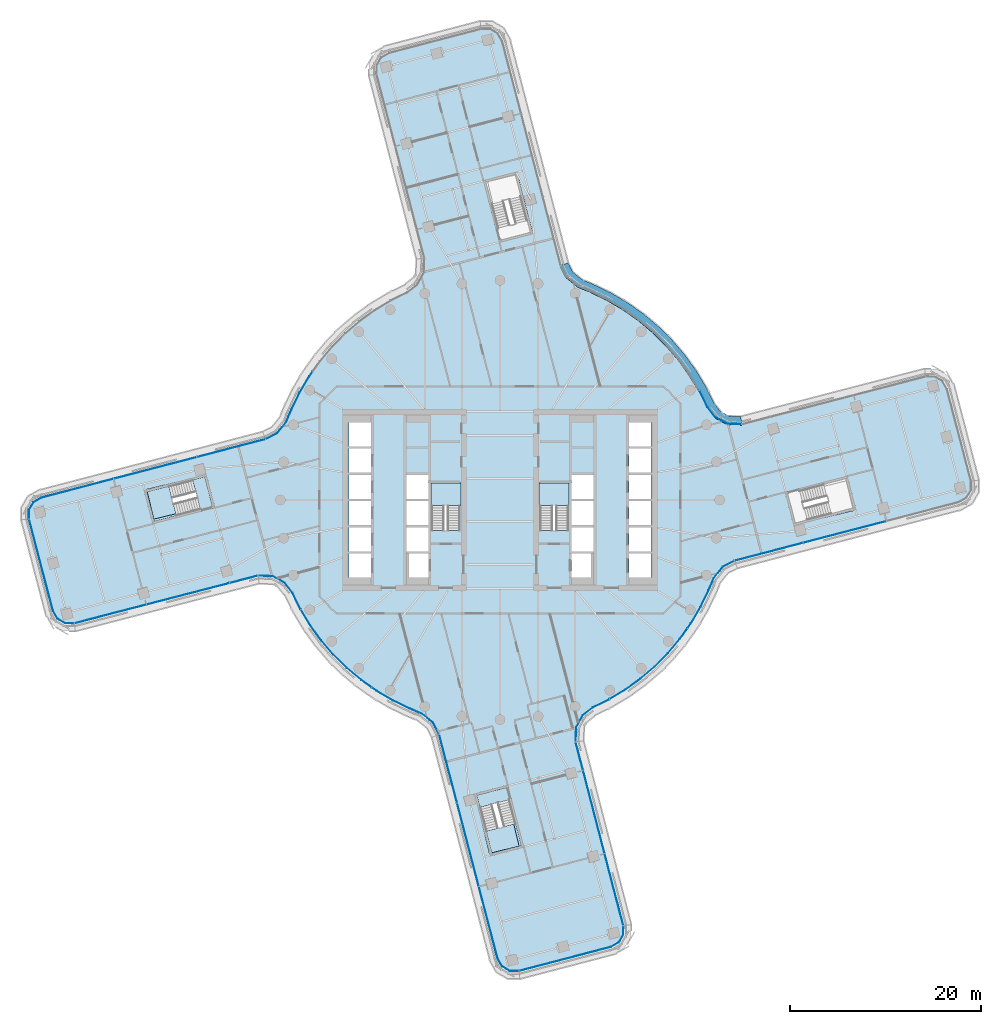
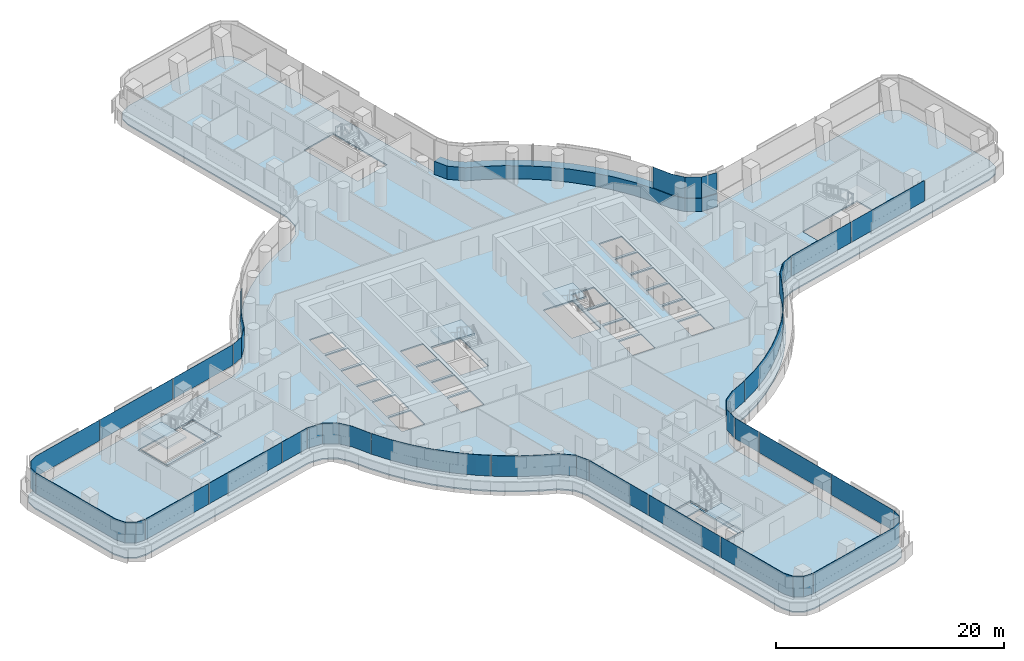
# One storey, part 16 of 30: 24 plates, 7 slabs, 1 member, 15 elements without a shape of their own.
"""IFC4 building model written with IfcOpenShell, lengths in metres."""

from ifc_helpers import new_model, si_unit, direction, frame, origin, place, context, subcontext, project, spatial, polyline, outline, extrude, material, layer, layer_set, type_object, element, aggregate, save


model = new_model("IFC4")

# Units and contexts
model_context = context("Model", 3, precision=1e-05, world=origin(), true_north=direction((0.0, 1.0)))
body_context = subcontext(model_context, "Body", "Model", "MODEL_VIEW")
ifc_project = project(units=[si_unit("LENGTHUNIT", "METRE"), si_unit("AREAUNIT", "SQUARE_METRE"), si_unit("VOLUMEUNIT", "CUBIC_METRE"), si_unit("PLANEANGLEUNIT", "RADIAN"), si_unit("MASSUNIT", "GRAM", prefix="KILO")], contexts=[model_context])

# Site, building, storey
site_placement = place(None, origin())
site = spatial("IfcSite", under=ifc_project, at=site_placement, CompositionType="ELEMENT")
building_placement = place(site_placement, origin())
building = spatial("IfcBuilding", under=site, at=building_placement, Name="Tamarind Cross Interchange Tower", CompositionType="ELEMENT")
storey_placement = place(building_placement, frame((0.0, 0.0, 87.25)))
storey = spatial("IfcBuildingStorey", under=building, at=storey_placement, Name="L20", CompositionType="ELEMENT", Elevation=87.25)

# Curtain wall, member
ifc_material_1 = material(Name="Aluminium 6063-T6", Category="aluminium")
ifc_layer_1 = layer(ifc_material_1, 0.159912109375)
ifc_layer_set_1 = layer_set([ifc_layer_1], Name="Aluminium 6063-T6")
curtain_wall_type = type_object("IfcCurtainWallType", Name="Office curtain wall, 9.0 m bays", PredefinedType="NOTDEFINED", material=ifc_layer_set_1)
curtain_wall_1_placement = place(storey_placement, origin())
curtain_wall_1 = element("IfcCurtainWall", 1, at=curtain_wall_1_placement, inside=storey, type_object=curtain_wall_type, Name="CWS-L20-14", PredefinedType="NOTDEFINED")
ifc_material_2 = material(Name="Aluminium and insulated spandrel panel", Category="aluminium")
member_type = type_object("IfcMemberType", Name="Floor-edge blade transom", PredefinedType="USERDEFINED", material=ifc_material_2)
member_placement = place(storey_placement, origin())
member = element("IfcMember", 2, at=member_placement, type_object=member_type, Name="CWT-L20-14", ObjectType="TRANSOM", PredefinedType="USERDEFINED", context=body_context, shape_type="SweptSolid", body=[
    extrude(outline(polyline([(25.316650390625, 7.81689453125), (23.747802734375, 7.88427734375), (22.460693359375, 8.59765625), (21.640625, 9.649169921875), (20.791015625, 11.367431640625), (19.78125, 13.045654296875), (18.636474609375, 14.634521484375), (17.3642578125, 16.12353515625), (15.973388671875, 17.50244140625), (14.4736328125, 18.76171875), (12.874755859375, 19.892822265625), (11.188232421875, 20.88818359375), (9.421630859375, 21.7421875), (8.141845703125, 22.27197265625), (6.892333984375, 23.281982421875), (6.26953125, 24.509521484375), (7.11572265625, 24.83056640625), (7.60791015625, 23.86083984375), (8.6064453125, 23.0537109375), (9.7900390625, 22.56396484375), (11.613525390625, 21.68212890625), (13.3642578125, 20.64892578125), (15.023681640625, 19.474853515625), (16.580810546875, 18.167724609375), (18.0244140625, 16.736572265625), (19.344970703125, 15.19091796875), (20.533203125, 13.54150390625), (21.581298828125, 11.799560546875), (22.40673828125, 10.13037109375), (23.057373046875, 9.2958984375), (23.99853515625, 8.7744140625), (25.220703125, 8.721923828125), (25.316650390625, 7.81689453125)])), origin(), (0.0, 0.0, 1.0), 1.39990234375),
])

# Slabs
ifc_material_3 = material(Name="Concrete C35", Category="concrete")
ifc_layer_2 = layer(ifc_material_3, 0.139892578125)
ifc_layer_set_2 = layer_set([ifc_layer_2], Name="Concrete C35")
slab_type_1 = type_object("IfcSlabType", Name="Composite slab 140 Concrete C35", PredefinedType="FLOOR", material=ifc_layer_set_2)
slab_1_placement = place(storey_placement, frame((0.0, 0.0, -0.139892578125)))
element("IfcSlab", 3, at=slab_1_placement, inside=storey, type_object=slab_type_1, Name="Floor slab L20", PredefinedType="FLOOR", context=body_context, shape_type="SweptSolid", body=[
    extrude(outline(polyline([(7.130859375, 23.474853515625), (6.551513671875, 24.61669921875), (0.431884765625, 48.064697265625), (-0.079833984375, 48.964599609375), (-0.97314453125, 49.48828125), (-2.00830078125, 49.494873046875), (-11.68408203125, 46.969482421875), (-12.584228515625, 46.457763671875), (-13.107666015625, 45.564697265625), (-13.114501953125, 44.529296875), (-8.118408203125, 25.28466796875), (-8.180908203125, 23.831298828125), (-8.83056640625, 22.65966796875), (-9.8095703125, 21.89599609375), (-11.511474609375, 21.054443359375), (-13.2109375, 20.031982421875), (-14.820068359375, 18.87255859375), (-16.327880859375, 17.584228515625), (-17.72412109375, 16.17578125), (-18.99951171875, 14.656982421875), (-20.14501953125, 13.0380859375), (-21.15283203125, 11.329833984375), (-22.01611328125, 9.54443359375), (-22.53271484375, 8.296630859375), (-23.474853515625, 7.130859375), (-24.61669921875, 6.551513671875), (-48.064697265625, 0.431884765625), (-48.964599609375, -0.079833984375), (-49.48828125, -0.97314453125), (-49.494873046875, -2.00830078125), (-46.969482421875, -11.68408203125), (-46.457763671875, -12.584228515625), (-45.564697265625, -13.107666015625), (-44.529296875, -13.114501953125), (-25.28466796875, -8.118408203125), (-23.831298828125, -8.180908203125), (-22.65966796875, -8.83056640625), (-21.89599609375, -9.8095703125), (-21.054443359375, -11.511474609375), (-20.031982421875, -13.2109375), (-18.87255859375, -14.820068359375), (-17.584228515625, -16.327880859375), (-16.17578125, -17.72412109375), (-14.656982421875, -18.99951171875), (-13.0380859375, -20.14501953125), (-11.329833984375, -21.15283203125), (-9.54443359375, -22.01611328125), (-8.296630859375, -22.53271484375), (-7.130859375, -23.474853515625), (-6.551513671875, -24.61669921875), (-0.431884765625, -48.064697265625), (0.079833984375, -48.964599609375), (0.97314453125, -49.48828125), (2.00830078125, -49.494873046875), (11.68408203125, -46.969482421875), (12.584228515625, -46.457763671875), (13.107666015625, -45.564697265625), (13.114501953125, -44.529296875), (8.118408203125, -25.28466796875), (8.180908203125, -23.831298828125), (8.83056640625, -22.65966796875), (9.8095703125, -21.89599609375), (11.511474609375, -21.054443359375), (13.2109375, -20.031982421875), (14.820068359375, -18.87255859375), (16.327880859375, -17.584228515625), (17.72412109375, -16.17578125), (18.99951171875, -14.656982421875), (20.14501953125, -13.0380859375), (21.15283203125, -11.329833984375), (22.01611328125, -9.54443359375), (22.53271484375, -8.296630859375), (23.474853515625, -7.130859375), (24.61669921875, -6.551513671875), (48.064697265625, -0.431884765625), (48.964599609375, 0.079833984375), (49.48828125, 0.97314453125), (49.494873046875, 2.00830078125), (46.969482421875, 11.68408203125), (46.457763671875, 12.584228515625), (45.564697265625, 13.107666015625), (44.529296875, 13.114501953125), (25.28466796875, 8.118408203125), (23.831298828125, 8.180908203125), (22.65966796875, 8.83056640625), (21.89599609375, 9.8095703125), (21.054443359375, 11.511474609375), (20.031982421875, 13.2109375), (18.87255859375, 14.820068359375), (17.584228515625, 16.327880859375), (16.17578125, 17.72412109375), (14.656982421875, 18.99951171875), (13.0380859375, 20.14501953125), (11.329833984375, 21.15283203125), (9.54443359375, 22.01611328125), (8.296630859375, 22.53271484375), (7.130859375, 23.474853515625)]), holes=[polyline([(-13.5, -8.125), (-15.800048828125, -8.125), (-15.800048828125, -5.625), (-13.5, -5.625), (-13.5, -8.125)]), polyline([(-13.5, -5.375), (-15.800048828125, -5.375), (-15.800048828125, -2.875), (-13.5, -2.875), (-13.5, -5.375)]), polyline([(-7.5, -5.375), (-9.800048828125, -5.375), (-9.800048828125, -2.875), (-7.5, -2.875), (-7.5, -5.375)]), polyline([(-36.3330078125, -2.50048828125), (-36.383544921875, -2.306884765625), (-37.191650390625, 0.789306640625), (-37.2421875, 0.98291015625), (-36.96630859375, 1.0546875), (-36.98046875, 1.113037109375), (-33.78271484375, 1.885498046875), (-30.75927734375, 2.6748046875), (-30.708740234375, 2.481201171875), (-29.900634765625, -0.614990234375), (-29.85009765625, -0.80859375), (-36.3330078125, -2.50048828125)]), polyline([(-15.800048828125, -2.625), (-15.800048828125, -0.125), (-13.5, -0.125), (-13.5, -2.625), (-15.800048828125, -2.625)]), polyline([(-7.5, -2.625), (-9.800048828125, -2.625), (-9.800048828125, -0.125), (-7.5, -0.125), (-7.5, -2.625)]), polyline([(-15.800048828125, 0.125), (-15.800048828125, 2.625), (-13.5, 2.625), (-13.5, 0.125), (-15.800048828125, 0.125)]), polyline([(-7.5, 0.125), (-9.800048828125, 0.125), (-9.800048828125, 2.625), (-7.5, 2.625), (-7.5, 0.125)]), polyline([(-13.5, 2.875), (-15.800048828125, 2.875), (-15.800048828125, 5.375), (-13.5, 5.375), (-13.5, 2.875)]), polyline([(-15.800048828125, 5.625), (-15.800048828125, 8.125), (-13.5, 8.125), (-13.5, 5.625), (-15.800048828125, 5.625)]), polyline([(2.50048828125, -36.3330078125), (2.306884765625, -36.383544921875), (-0.789306640625, -37.191650390625), (-0.98291015625, -37.2421875), (-1.0546875, -36.96630859375), (-1.113037109375, -36.98046875), (-1.885498046875, -33.78271484375), (-2.6748046875, -30.75927734375), (-2.481201171875, -30.708740234375), (0.614990234375, -29.900634765625), (0.80859375, -29.85009765625), (2.50048828125, -36.3330078125)]), polyline([(-9.800048828125, -8.125), (-9.800048828125, -5.625), (-7.5, -5.625), (-7.5, -8.125), (-9.800048828125, -8.125)]), polyline([(-4.199951171875, -3.18798828125), (-7.14990234375, -3.18798828125), (-7.14990234375, 1.800048828125), (-4.199951171875, 1.800048828125), (-4.199951171875, -3.18798828125)]), polyline([(7.14990234375, 1.800048828125), (7.14990234375, -3.18798828125), (4.199951171875, -3.18798828125), (4.199951171875, 1.800048828125), (7.14990234375, 1.800048828125)]), polyline([(7.5, 2.625), (9.800048828125, 2.625), (9.800048828125, 0.125), (7.5, 0.125), (7.5, 2.625)]), polyline([(-1.742919921875, 33.430419921875), (-1.549560546875, 33.480712890625), (1.546875, 34.288818359375), (1.740234375, 34.33935546875), (1.8125, 34.06298828125), (1.817626953125, 34.064208984375), (1.885498046875, 33.78271484375), (3.432373046875, 27.856689453125), (3.23876953125, 27.80615234375), (0.142578125, 26.998046875), (-0.051025390625, 26.947509765625), (-1.742919921875, 33.430419921875)]), polyline([(7.5, -5.625), (9.800048828125, -5.625), (9.800048828125, -8.125), (7.5, -8.125), (7.5, -5.625)]), polyline([(15.800048828125, -5.625), (15.800048828125, -8.125), (13.5, -8.125), (13.5, -5.625), (15.800048828125, -5.625)]), polyline([(9.800048828125, -2.875), (9.800048828125, -5.375), (7.5, -5.375), (7.5, -2.875), (9.800048828125, -2.875)]), polyline([(13.5, -2.875), (15.800048828125, -2.875), (15.800048828125, -5.375), (13.5, -5.375), (13.5, -2.875)]), polyline([(36.3330078125, 2.50048828125), (36.383544921875, 2.306884765625), (37.191650390625, -0.789306640625), (37.2421875, -0.98291015625), (36.96630859375, -1.0546875), (36.98046875, -1.113037109375), (33.78271484375, -1.885498046875), (30.75927734375, -2.6748046875), (30.708740234375, -2.481201171875), (29.900634765625, 0.614990234375), (29.85009765625, 0.80859375), (36.3330078125, 2.50048828125)]), polyline([(7.5, -0.125), (9.800048828125, -0.125), (9.800048828125, -2.625), (7.5, -2.625), (7.5, -0.125)]), polyline([(15.800048828125, -0.125), (15.800048828125, -2.625), (13.5, -2.625), (13.5, -0.125), (15.800048828125, -0.125)]), polyline([(15.800048828125, 2.625), (15.800048828125, 0.125), (13.5, 0.125), (13.5, 2.625), (15.800048828125, 2.625)]), polyline([(15.800048828125, 5.375), (15.800048828125, 2.875), (13.5, 2.875), (13.5, 5.375), (15.800048828125, 5.375)]), polyline([(15.800048828125, 8.125), (15.800048828125, 5.625), (13.5, 5.625), (13.5, 8.125), (15.800048828125, 8.125)])]), origin(), (0.0, 0.0, 1.0), 0.139892578125),
])
slab_2_placement = place(storey_placement, frame((0.0, 0.0, -0.139892578125)))
element("IfcSlab", 4, at=slab_2_placement, inside=storey, type_object=slab_type_1, Name="Floor slab L20", PredefinedType="FLOOR", context=body_context, shape_type="SweptSolid", body=[
    extrude(outline(polyline([(-30.09423828125, -0.66552734375), (-30.90234375, 2.4306640625), (-32.171875, 2.099365234375), (-31.40673828125, -0.83251953125), (-36.22900390625, -1.997314453125), (-36.919189453125, 0.8603515625), (-36.998291015625, 0.83984375), (-36.190185546875, -2.256591796875), (-30.09423828125, -0.66552734375)])), origin(), (0.0, 0.0, 1.0), 0.139892578125),
])
slab_3_placement = place(storey_placement, frame((0.0, 0.0, -0.139892578125)))
element("IfcSlab", 5, at=slab_3_placement, inside=storey, type_object=slab_type_1, Name="Floor slab L20", PredefinedType="FLOOR", context=body_context, shape_type="SweptSolid", body=[
    extrude(outline(polyline([(0.66552734375, -30.09423828125), (-2.4306640625, -30.90234375), (-2.099365234375, -32.171875), (0.83251953125, -31.40673828125), (1.997314453125, -36.22900390625), (-0.8603515625, -36.919189453125), (-0.83984375, -36.998291015625), (2.256591796875, -36.190185546875), (0.66552734375, -30.09423828125)])), origin(), (0.0, 0.0, 1.0), 0.139892578125),
])

# Stair, slab
ifc_material_4 = material(Name="Exit stair")
stair_type = type_object("IfcStairType", Name="Exit stair", PredefinedType="HALF_TURN_STAIR", material=ifc_material_4)
stair_1_placement = place(storey_placement, origin())
stair_1 = element("IfcStair", 6, at=stair_1_placement, inside=storey, type_object=stair_type, Name="L20 exit stair ST1", PredefinedType="HALF_TURN_STAIR")
ifc_material_5 = material(Name="Concrete C40", Category="concrete")
ifc_layer_3 = layer(ifc_material_5, 0.199951171875)
ifc_layer_set_3 = layer_set([ifc_layer_3], Name="Concrete C40")
slab_type_2 = type_object("IfcSlabType", Name="Stair landing", PredefinedType="LANDING", material=ifc_layer_set_3)
slab_4_placement = place(storey_placement, frame((0.0, 0.0, 1.675048828125)))
slab_4 = element("IfcSlab", 7, at=slab_4_placement, type_object=slab_type_2, Name="ST1 landing 1", PredefinedType="LANDING", context=body_context, shape_type="SweptSolid", body=[
    extrude(outline(polyline([(-4.10009765625, -0.60009765625), (-4.10009765625, 1.800048828125), (-7.199951171875, 1.800048828125), (-7.199951171875, -0.60009765625), (-4.10009765625, -0.60009765625)])), origin(), (0.0, 0.0, 1.0), 0.199951171875),
])
aggregate(stair_1, [slab_4])

stair_2_placement = place(storey_placement, origin())
stair_2 = element("IfcStair", 8, at=stair_2_placement, inside=storey, type_object=stair_type, Name="L20 exit stair ST2", PredefinedType="HALF_TURN_STAIR")
slab_5_placement = place(storey_placement, frame((0.0, 0.0, 1.675048828125)))
slab_5 = element("IfcSlab", 9, at=slab_5_placement, type_object=slab_type_2, Name="ST2 landing 1", PredefinedType="LANDING", context=body_context, shape_type="SweptSolid", body=[
    extrude(outline(polyline([(7.199951171875, -0.60009765625), (7.199951171875, 1.800048828125), (4.10009765625, 1.800048828125), (4.10009765625, -0.60009765625), (7.199951171875, -0.60009765625)])), origin(), (0.0, 0.0, 1.0), 0.199951171875),
])
aggregate(stair_2, [slab_5])

stair_3_placement = place(storey_placement, origin())
stair_3 = element("IfcStair", 10, at=stair_3_placement, inside=storey, type_object=stair_type, Name="L20 exit stair ST5", PredefinedType="HALF_TURN_STAIR")
slab_6_placement = place(storey_placement, frame((0.0, 0.0, 1.675048828125)))
slab_6 = element("IfcSlab", 11, at=slab_6_placement, type_object=slab_type_2, Name="ST5 landing 1", PredefinedType="LANDING", context=body_context, shape_type="SweptSolid", body=[
    extrude(outline(polyline([(-34.664306640625, 1.44873046875), (-36.998046875, 0.83984375), (-36.190185546875, -2.256591796875), (-33.856201171875, -1.6474609375), (-34.664306640625, 1.44873046875)])), origin(), (0.0, 0.0, 1.0), 0.199951171875),
])
aggregate(stair_3, [slab_6])

stair_4_placement = place(storey_placement, origin())
stair_4 = element("IfcStair", 12, at=stair_4_placement, inside=storey, type_object=stair_type, Name="L20 exit stair ST6", PredefinedType="HALF_TURN_STAIR")
slab_7_placement = place(storey_placement, frame((0.0, 0.0, 1.675048828125)))
slab_7 = element("IfcSlab", 13, at=slab_7_placement, type_object=slab_type_2, Name="ST6 landing 1", PredefinedType="LANDING", context=body_context, shape_type="SweptSolid", body=[
    extrude(outline(polyline([(-1.44873046875, -34.664306640625), (-0.83984375, -36.998046875), (2.256591796875, -36.190185546875), (1.6474609375, -33.856201171875), (-1.44873046875, -34.664306640625)])), origin(), (0.0, 0.0, 1.0), 0.199951171875),
])
aggregate(stair_4, [slab_7])

# Curtain wall, plate
curtain_wall_2_placement = place(storey_placement, origin())
curtain_wall_2 = element("IfcCurtainWall", 14, at=curtain_wall_2_placement, inside=storey, type_object=curtain_wall_type, Name="CWS-L20-02", PredefinedType="NOTDEFINED")
ifc_material_6 = material(Name="Laminated low-e glass 8+1.52+8", Category="glass")
ifc_layer_4 = layer(ifc_material_6, 0.028076171875)
ifc_layer_set_4 = layer_set([ifc_layer_4], Name="Laminated low-e glass 8+1.52+8")
plate_type = type_object("IfcPlateType", Name="Vision panel CW1", PredefinedType="CURTAIN_PANEL", material=ifc_layer_set_4)
plate_1_placement = place(storey_placement, frame((0.0, 0.0, 1.39990234375)))
plate_1 = element("IfcPlate", 15, at=plate_1_placement, type_object=plate_type, Name="CWP-L20-02-02", PredefinedType="CURTAIN_PANEL", context=body_context, shape_type="SweptSolid", body=[
    extrude(outline(polyline([(-19.62646484375, 13.400146484375), (-19.965087890625, 12.921630859375), (-20.9638671875, 11.228759765625), (-21.82080078125, 9.456787109375), (-22.3466796875, 8.186279296875), (-23.337158203125, 6.9609375), (-24.51220703125, 6.364501953125), (-24.52490234375, 6.3896484375), (-23.355224609375, 6.983154296875), (-22.37109375, 8.20068359375), (-21.846435546875, 9.46826171875), (-20.98876953125, 11.241943359375), (-19.988525390625, 12.936767578125), (-19.6494140625, 13.416259765625), (-19.62646484375, 13.400146484375)])), origin(), (0.0, 0.0, 1.0), 2.210205078125),
])
aggregate(curtain_wall_2, [plate_1])

# Curtain wall, plates
curtain_wall_3_placement = place(storey_placement, origin())
curtain_wall_3 = element("IfcCurtainWall", 16, at=curtain_wall_3_placement, inside=storey, type_object=curtain_wall_type, Name="CWS-L20-03", PredefinedType="NOTDEFINED")
plate_2_placement = place(storey_placement, frame((0.0, 0.0, 1.39990234375)))
plate_2 = element("IfcPlate", 17, at=plate_2_placement, type_object=plate_type, Name="CWP-L20-03-00", PredefinedType="CURTAIN_PANEL", context=body_context, shape_type="SweptSolid", body=[
    extrude(outline(polyline([(-24.57080078125, 6.34228515625), (-31.693359375, 4.4833984375), (-31.700439453125, 4.510498046875), (-24.577880859375, 6.369384765625), (-24.57080078125, 6.34228515625)])), origin(), (0.0, 0.0, 1.0), 2.210205078125),
])
plate_3_placement = place(storey_placement, frame((0.0, 0.0, 1.39990234375)))
plate_3 = element("IfcPlate", 18, at=plate_3_placement, type_object=plate_type, Name="CWP-L20-03-01", PredefinedType="CURTAIN_PANEL", context=body_context, shape_type="SweptSolid", body=[
    extrude(outline(polyline([(-31.75146484375, 4.46826171875), (-40.39990234375, 2.211181640625), (-40.406982421875, 2.23828125), (-31.758544921875, 4.495361328125), (-31.75146484375, 4.46826171875)])), origin(), (0.0, 0.0, 1.0), 2.210205078125),
])
plate_4_placement = place(storey_placement, frame((0.0, 0.0, 1.39990234375)))
plate_4 = element("IfcPlate", 19, at=plate_4_placement, type_object=plate_type, Name="CWP-L20-03-02", PredefinedType="CURTAIN_PANEL", context=body_context, shape_type="SweptSolid", body=[
    extrude(outline(polyline([(-40.4580078125, 2.196044921875), (-47.9833984375, 0.23193359375), (-48.80908203125, -0.237548828125), (-49.2744140625, -1.03173828125), (-49.280517578125, -1.953369140625), (-49.30859375, -1.953125), (-49.302490234375, -1.024169921875), (-48.829345703125, -0.217041015625), (-47.994140625, 0.258056640625), (-40.465087890625, 2.22314453125), (-40.4580078125, 2.196044921875)])), origin(), (0.0, 0.0, 1.0), 2.210205078125),
])
aggregate(curtain_wall_3, [plate_2, plate_3, plate_4])

# Curtain wall, plate
curtain_wall_4_placement = place(storey_placement, origin())
curtain_wall_4 = element("IfcCurtainWall", 20, at=curtain_wall_4_placement, inside=storey, type_object=curtain_wall_type, Name="CWS-L20-04", PredefinedType="NOTDEFINED")
plate_5_placement = place(storey_placement, frame((0.0, 0.0, 1.39990234375)))
plate_5 = element("IfcPlate", 21, at=plate_5_placement, type_object=plate_type, Name="CWP-L20-04-00", PredefinedType="CURTAIN_PANEL", context=body_context, shape_type="SweptSolid", body=[
    extrude(outline(polyline([(-49.273681640625, -2.0087890625), (-46.76953125, -11.60302734375), (-46.300048828125, -12.428466796875), (-45.505859375, -12.89404296875), (-44.584228515625, -12.89990234375), (-44.58447265625, -12.927978515625), (-45.513671875, -12.921875), (-46.32080078125, -12.448974609375), (-46.7958984375, -11.613525390625), (-49.30078125, -2.015869140625), (-49.273681640625, -2.0087890625)])), origin(), (0.0, 0.0, 1.0), 2.210205078125),
])
aggregate(curtain_wall_4, [plate_5])

# Curtain wall, plates
curtain_wall_5_placement = place(storey_placement, origin())
curtain_wall_5 = element("IfcCurtainWall", 22, at=curtain_wall_5_placement, inside=storey, type_object=curtain_wall_type, Name="CWS-L20-05", PredefinedType="NOTDEFINED")
plate_6_placement = place(storey_placement, frame((0.0, 0.0, 1.39990234375)))
plate_6 = element("IfcPlate", 23, at=plate_6_placement, type_object=plate_type, Name="CWP-L20-05-00", PredefinedType="CURTAIN_PANEL", context=body_context, shape_type="SweptSolid", body=[
    extrude(outline(polyline([(-44.52880859375, -12.89306640625), (-37.025146484375, -10.945068359375), (-37.01806640625, -10.972412109375), (-44.521728515625, -12.920166015625), (-44.52880859375, -12.89306640625)])), origin(), (0.0, 0.0, 1.0), 2.210205078125),
])
plate_7_placement = place(storey_placement, frame((0.0, 0.0, 1.39990234375)))
plate_7 = element("IfcPlate", 24, at=plate_7_placement, type_object=plate_type, Name="CWP-L20-05-01", PredefinedType="CURTAIN_PANEL", context=body_context, shape_type="SweptSolid", body=[
    extrude(outline(polyline([(-36.967041015625, -10.93017578125), (-28.312255859375, -8.683349609375), (-28.30517578125, -8.71044921875), (-36.9599609375, -10.957275390625), (-36.967041015625, -10.93017578125)])), origin(), (0.0, 0.0, 1.0), 2.210205078125),
])
plate_8_placement = place(storey_placement, frame((0.0, 0.0, 1.39990234375)))
plate_8 = element("IfcPlate", 25, at=plate_8_placement, type_object=plate_type, Name="CWP-L20-05-02", PredefinedType="CURTAIN_PANEL", context=body_context, shape_type="SweptSolid", body=[
    extrude(outline(polyline([(-28.254150390625, -8.668212890625), (-25.338623046875, -7.911376953125), (-25.33154296875, -7.9384765625), (-28.2470703125, -8.6953125), (-28.254150390625, -8.668212890625)])), origin(), (0.0, 0.0, 1.0), 2.210205078125),
])
aggregate(curtain_wall_5, [plate_6, plate_7, plate_8])

curtain_wall_6_placement = place(storey_placement, origin())
curtain_wall_6 = element("IfcCurtainWall", 26, at=curtain_wall_6_placement, inside=storey, type_object=curtain_wall_type, Name="CWS-L20-06", PredefinedType="NOTDEFINED")
plate_9_placement = place(storey_placement, frame((0.0, 0.0, 1.39990234375)))
plate_9 = element("IfcPlate", 27, at=plate_9_placement, type_object=plate_type, Name="CWP-L20-06-00", PredefinedType="CURTAIN_PANEL", context=body_context, shape_type="SweptSolid", body=[
    extrude(outline(polyline([(-25.275390625, -7.90478515625), (-23.771728515625, -7.969482421875), (-22.517822265625, -8.66455078125), (-21.7138671875, -9.695068359375), (-20.866455078125, -11.40869140625), (-20.84619140625, -11.4423828125), (-20.870361328125, -11.456787109375), (-20.89111328125, -11.422119140625), (-21.73779296875, -9.710205078125), (-22.536376953125, -8.686279296875), (-23.779541015625, -7.9970703125), (-25.276611328125, -7.9326171875), (-25.275390625, -7.90478515625)])), origin(), (0.0, 0.0, 1.0), 2.210205078125),
])
plate_10_placement = place(storey_placement, frame((0.0, 0.0, 1.39990234375)))
plate_10 = element("IfcPlate", 28, at=plate_10_placement, type_object=plate_type, Name="CWP-L20-06-01", PredefinedType="CURTAIN_PANEL", context=body_context, shape_type="SweptSolid", body=[
    extrude(outline(polyline([(-20.8154296875, -11.493896484375), (-19.85302734375, -13.093017578125), (-18.7041015625, -14.687744140625), (-17.42724609375, -16.18212890625), (-16.031494140625, -17.56591796875), (-14.526123046875, -18.829833984375), (-13.448974609375, -19.591796875), (-13.46533203125, -19.61474609375), (-14.543212890625, -18.85205078125), (-16.05029296875, -17.586669921875), (-17.44775390625, -16.201171875), (-18.72607421875, -14.705078125), (-19.87646484375, -13.1083984375), (-20.83935546875, -11.50830078125), (-20.8154296875, -11.493896484375)])), origin(), (0.0, 0.0, 1.0), 2.210205078125),
])
plate_11_placement = place(storey_placement, frame((0.0, 0.0, 1.39990234375)))
plate_11 = element("IfcPlate", 29, at=plate_11_placement, type_object=plate_type, Name="CWP-L20-06-02", PredefinedType="CURTAIN_PANEL", context=body_context, shape_type="SweptSolid", body=[
    extrude(outline(polyline([(-13.400146484375, -19.62646484375), (-12.921630859375, -19.965087890625), (-11.228759765625, -20.9638671875), (-9.456787109375, -21.82080078125), (-8.186279296875, -22.3466796875), (-6.9609375, -23.337158203125), (-6.364501953125, -24.51220703125), (-6.3896484375, -24.52490234375), (-6.983154296875, -23.355224609375), (-8.20068359375, -22.37109375), (-9.46826171875, -21.846435546875), (-11.241943359375, -20.98876953125), (-12.936767578125, -19.988525390625), (-13.416259765625, -19.6494140625), (-13.400146484375, -19.62646484375)])), origin(), (0.0, 0.0, 1.0), 2.210205078125),
])
aggregate(curtain_wall_6, [plate_9, plate_10, plate_11])

curtain_wall_7_placement = place(storey_placement, origin())
curtain_wall_7 = element("IfcCurtainWall", 30, at=curtain_wall_7_placement, inside=storey, type_object=curtain_wall_type, Name="CWS-L20-07", PredefinedType="NOTDEFINED")
plate_12_placement = place(storey_placement, frame((0.0, 0.0, 1.39990234375)))
plate_12 = element("IfcPlate", 31, at=plate_12_placement, type_object=plate_type, Name="CWP-L20-07-00", PredefinedType="CURTAIN_PANEL", context=body_context, shape_type="SweptSolid", body=[
    extrude(outline(polyline([(-6.34228515625, -24.57080078125), (-4.4833984375, -31.693359375), (-4.510498046875, -31.700439453125), (-6.369384765625, -24.577880859375), (-6.34228515625, -24.57080078125)])), origin(), (0.0, 0.0, 1.0), 2.210205078125),
])
plate_13_placement = place(storey_placement, frame((0.0, 0.0, 1.39990234375)))
plate_13 = element("IfcPlate", 32, at=plate_13_placement, type_object=plate_type, Name="CWP-L20-07-01", PredefinedType="CURTAIN_PANEL", context=body_context, shape_type="SweptSolid", body=[
    extrude(outline(polyline([(-4.46826171875, -31.75146484375), (-2.211181640625, -40.39990234375), (-2.23828125, -40.406982421875), (-4.495361328125, -31.758544921875), (-4.46826171875, -31.75146484375)])), origin(), (0.0, 0.0, 1.0), 2.210205078125),
])
plate_14_placement = place(storey_placement, frame((0.0, 0.0, 1.39990234375)))
plate_14 = element("IfcPlate", 33, at=plate_14_placement, type_object=plate_type, Name="CWP-L20-07-02", PredefinedType="CURTAIN_PANEL", context=body_context, shape_type="SweptSolid", body=[
    extrude(outline(polyline([(-2.196044921875, -40.4580078125), (-0.23193359375, -47.9833984375), (0.237548828125, -48.80908203125), (1.03173828125, -49.2744140625), (1.953369140625, -49.280517578125), (1.953125, -49.30859375), (1.024169921875, -49.302490234375), (0.217041015625, -48.829345703125), (-0.258056640625, -47.994140625), (-2.22314453125, -40.465087890625), (-2.196044921875, -40.4580078125)])), origin(), (0.0, 0.0, 1.0), 2.210205078125),
])
aggregate(curtain_wall_7, [plate_12, plate_13, plate_14])

# Curtain wall, plate
curtain_wall_8_placement = place(storey_placement, origin())
curtain_wall_8 = element("IfcCurtainWall", 34, at=curtain_wall_8_placement, inside=storey, type_object=curtain_wall_type, Name="CWS-L20-08", PredefinedType="NOTDEFINED")
plate_15_placement = place(storey_placement, frame((0.0, 0.0, 1.39990234375)))
plate_15 = element("IfcPlate", 35, at=plate_15_placement, type_object=plate_type, Name="CWP-L20-08-00", PredefinedType="CURTAIN_PANEL", context=body_context, shape_type="SweptSolid", body=[
    extrude(outline(polyline([(2.0087890625, -49.273681640625), (11.60302734375, -46.76953125), (12.428466796875, -46.300048828125), (12.89404296875, -45.505859375), (12.89990234375, -44.584228515625), (12.927978515625, -44.58447265625), (12.921875, -45.513671875), (12.448974609375, -46.32080078125), (11.613525390625, -46.7958984375), (2.015869140625, -49.30078125), (2.0087890625, -49.273681640625)])), origin(), (0.0, 0.0, 1.0), 2.210205078125),
])
aggregate(curtain_wall_8, [plate_15])

# Curtain wall, plates
curtain_wall_9_placement = place(storey_placement, origin())
curtain_wall_9 = element("IfcCurtainWall", 36, at=curtain_wall_9_placement, inside=storey, type_object=curtain_wall_type, Name="CWS-L20-09", PredefinedType="NOTDEFINED")
plate_16_placement = place(storey_placement, frame((0.0, 0.0, 1.39990234375)))
plate_16 = element("IfcPlate", 37, at=plate_16_placement, type_object=plate_type, Name="CWP-L20-09-00", PredefinedType="CURTAIN_PANEL", context=body_context, shape_type="SweptSolid", body=[
    extrude(outline(polyline([(12.89306640625, -44.52880859375), (10.945068359375, -37.025146484375), (10.972412109375, -37.01806640625), (12.920166015625, -44.521728515625), (12.89306640625, -44.52880859375)])), origin(), (0.0, 0.0, 1.0), 2.210205078125),
])
plate_17_placement = place(storey_placement, frame((0.0, 0.0, 1.39990234375)))
plate_17 = element("IfcPlate", 38, at=plate_17_placement, type_object=plate_type, Name="CWP-L20-09-01", PredefinedType="CURTAIN_PANEL", context=body_context, shape_type="SweptSolid", body=[
    extrude(outline(polyline([(10.93017578125, -36.967041015625), (8.683349609375, -28.312255859375), (8.71044921875, -28.30517578125), (10.957275390625, -36.9599609375), (10.93017578125, -36.967041015625)])), origin(), (0.0, 0.0, 1.0), 2.210205078125),
])
plate_18_placement = place(storey_placement, frame((0.0, 0.0, 1.39990234375)))
plate_18 = element("IfcPlate", 39, at=plate_18_placement, type_object=plate_type, Name="CWP-L20-09-02", PredefinedType="CURTAIN_PANEL", context=body_context, shape_type="SweptSolid", body=[
    extrude(outline(polyline([(8.668212890625, -28.254150390625), (7.911376953125, -25.338623046875), (7.9384765625, -25.33154296875), (8.6953125, -28.2470703125), (8.668212890625, -28.254150390625)])), origin(), (0.0, 0.0, 1.0), 2.210205078125),
])
aggregate(curtain_wall_9, [plate_16, plate_17, plate_18])

curtain_wall_10_placement = place(storey_placement, origin())
curtain_wall_10 = element("IfcCurtainWall", 40, at=curtain_wall_10_placement, inside=storey, type_object=curtain_wall_type, Name="CWS-L20-10", PredefinedType="NOTDEFINED")
plate_19_placement = place(storey_placement, frame((0.0, 0.0, 1.39990234375)))
plate_19 = element("IfcPlate", 41, at=plate_19_placement, type_object=plate_type, Name="CWP-L20-10-00", PredefinedType="CURTAIN_PANEL", context=body_context, shape_type="SweptSolid", body=[
    extrude(outline(polyline([(7.90478515625, -25.275390625), (7.969482421875, -23.771728515625), (8.66455078125, -22.517822265625), (9.695068359375, -21.7138671875), (11.40869140625, -20.866455078125), (11.4423828125, -20.84619140625), (11.456787109375, -20.870361328125), (11.422119140625, -20.89111328125), (9.710205078125, -21.73779296875), (8.686279296875, -22.536376953125), (7.9970703125, -23.779541015625), (7.9326171875, -25.276611328125), (7.90478515625, -25.275390625)])), origin(), (0.0, 0.0, 1.0), 2.210205078125),
])
plate_20_placement = place(storey_placement, frame((0.0, 0.0, 1.39990234375)))
plate_20 = element("IfcPlate", 42, at=plate_20_placement, type_object=plate_type, Name="CWP-L20-10-01", PredefinedType="CURTAIN_PANEL", context=body_context, shape_type="SweptSolid", body=[
    extrude(outline(polyline([(11.493896484375, -20.8154296875), (13.093017578125, -19.85302734375), (14.687744140625, -18.7041015625), (16.18212890625, -17.42724609375), (17.56591796875, -16.031494140625), (18.829833984375, -14.526123046875), (19.591796875, -13.448974609375), (19.61474609375, -13.46533203125), (18.85205078125, -14.543212890625), (17.586669921875, -16.05029296875), (16.201171875, -17.44775390625), (14.705078125, -18.72607421875), (13.1083984375, -19.87646484375), (11.50830078125, -20.83935546875), (11.493896484375, -20.8154296875)])), origin(), (0.0, 0.0, 1.0), 2.210205078125),
])
plate_21_placement = place(storey_placement, frame((0.0, 0.0, 1.39990234375)))
plate_21 = element("IfcPlate", 43, at=plate_21_placement, type_object=plate_type, Name="CWP-L20-10-02", PredefinedType="CURTAIN_PANEL", context=body_context, shape_type="SweptSolid", body=[
    extrude(outline(polyline([(19.62646484375, -13.400146484375), (19.965087890625, -12.921630859375), (20.9638671875, -11.228759765625), (21.82080078125, -9.456787109375), (22.3466796875, -8.186279296875), (23.337158203125, -6.9609375), (24.51220703125, -6.364501953125), (24.52490234375, -6.3896484375), (23.355224609375, -6.983154296875), (22.37109375, -8.20068359375), (21.846435546875, -9.46826171875), (20.98876953125, -11.241943359375), (19.988525390625, -12.936767578125), (19.6494140625, -13.416259765625), (19.62646484375, -13.400146484375)])), origin(), (0.0, 0.0, 1.0), 2.210205078125),
])
aggregate(curtain_wall_10, [plate_19, plate_20, plate_21])

curtain_wall_11_placement = place(storey_placement, origin())
curtain_wall_11 = element("IfcCurtainWall", 44, at=curtain_wall_11_placement, inside=storey, type_object=curtain_wall_type, Name="CWS-L20-11", PredefinedType="NOTDEFINED")
plate_22_placement = place(storey_placement, frame((0.0, 0.0, 1.39990234375)))
plate_22 = element("IfcPlate", 45, at=plate_22_placement, type_object=plate_type, Name="CWP-L20-11-00", PredefinedType="CURTAIN_PANEL", context=body_context, shape_type="SweptSolid", body=[
    extrude(outline(polyline([(24.57080078125, -6.34228515625), (31.693359375, -4.4833984375), (31.700439453125, -4.510498046875), (24.577880859375, -6.369384765625), (24.57080078125, -6.34228515625)])), origin(), (0.0, 0.0, 1.0), 2.210205078125),
])
plate_23_placement = place(storey_placement, frame((0.0, 0.0, 1.39990234375)))
plate_23 = element("IfcPlate", 46, at=plate_23_placement, type_object=plate_type, Name="CWP-L20-11-01", PredefinedType="CURTAIN_PANEL", context=body_context, shape_type="SweptSolid", body=[
    extrude(outline(polyline([(31.75146484375, -4.46826171875), (40.39990234375, -2.211181640625), (40.406982421875, -2.23828125), (31.758544921875, -4.495361328125), (31.75146484375, -4.46826171875)])), origin(), (0.0, 0.0, 1.0), 2.210205078125),
])
aggregate(curtain_wall_11, [plate_22, plate_23])

# Plate
plate_24_placement = place(storey_placement, frame((0.0, 0.0, 1.39990234375)))
plate_24 = element("IfcPlate", 47, at=plate_24_placement, type_object=plate_type, Name="CWP-L20-14-00", PredefinedType="CURTAIN_PANEL", context=body_context, shape_type="SweptSolid", body=[
    extrude(outline(polyline([(25.275390625, 7.90478515625), (23.771728515625, 7.969482421875), (22.517822265625, 8.66455078125), (21.7138671875, 9.695068359375), (20.866455078125, 11.40869140625), (20.84619140625, 11.4423828125), (20.870361328125, 11.456787109375), (20.89111328125, 11.422119140625), (21.73779296875, 9.710205078125), (22.536376953125, 8.686279296875), (23.779541015625, 7.9970703125), (25.276611328125, 7.9326171875), (25.275390625, 7.90478515625)])), origin(), (0.0, 0.0, 1.0), 2.210205078125),
])

aggregate(curtain_wall_1, [plate_24, member])

save(model, "model.ifc")
